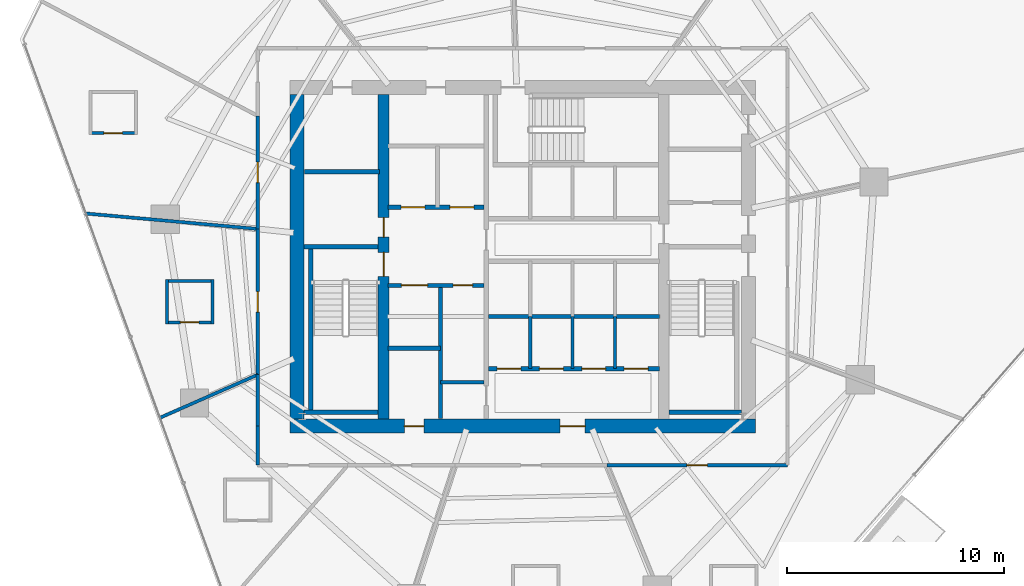
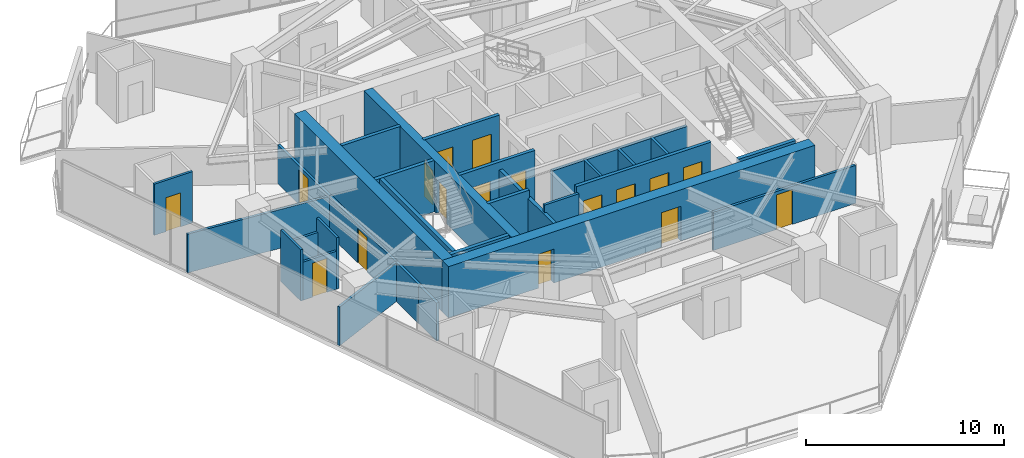
# One storey, part 27 of 33: 30 walls, 17 doors, 17 openings.
"""IFC4 building model written with IfcOpenShell, lengths in metres."""

from ifc_helpers import new_model, si_unit, direction, frame, frame_2d, origin, place, context, subcontext, project, spatial, rectangle, extrude, material, layer, layer_set, type_object, element, fill, save


model = new_model("IFC4")

# Units and contexts
model_context = context("Model", 3, precision=1e-05, world=origin(), true_north=direction((0.0, 1.0)))
body_context = subcontext(model_context, "Body", "Model", "MODEL_VIEW")
ifc_project = project(units=[si_unit("LENGTHUNIT", "METRE"), si_unit("AREAUNIT", "SQUARE_METRE"), si_unit("VOLUMEUNIT", "CUBIC_METRE"), si_unit("PLANEANGLEUNIT", "RADIAN"), si_unit("MASSUNIT", "GRAM", prefix="KILO")], contexts=[model_context])

# Site, building, storey
site_placement = place(None, origin())
site = spatial("IfcSite", under=ifc_project, at=site_placement, CompositionType="ELEMENT")
building_placement = place(site_placement, origin())
building = spatial("IfcBuilding", under=site, at=building_placement, Name="Qarnah Convention Tower", CompositionType="ELEMENT")
storey_placement = place(building_placement, frame((0.0, 0.0, 30.449951171875)))
storey = spatial("IfcBuildingStorey", under=building, at=storey_placement, Name="L06", CompositionType="ELEMENT", Elevation=30.449951171875)

# Wall, openings, doors
ifc_material_1 = material(Name="Concrete C60/75", Category="concrete")
ifc_layer_1 = layer(ifc_material_1, 0.64990234375)
ifc_layer_set_1 = layer_set([ifc_layer_1], Name="Concrete C60/75")
wall_type_1 = type_object("IfcWallType", Name="WL-CORE-650", PredefinedType="SHEAR", material=ifc_layer_set_1)
wall_1_placement = place(storey_placement, frame((26.47509765625, 18.60009765625, 0.0), z_axis=(0.0, 0.0, 1.0), x_axis=(1.0, 0.0, 0.0)))
wall_1 = element("IfcWall", 1, at=wall_1_placement, inside=storey, type_object=wall_type_1, Name="L06 core south shear wall", PredefinedType="SHEAR", context=body_context, shape_type="SweptSolid", body=[
    extrude(rectangle(XDim=21.449951171875, YDim=0.64990234375, at=frame_2d((10.72509765625, 0.0))), origin(), (0.0, 0.0, 1.0), 3.170166015625),
])
opening_1_placement = place(wall_1_placement, frame((12.449951171875, 0.0, 0.0)))
opening_1 = element("IfcOpeningElement", 2, at=opening_1_placement, cuts=wall_1, Name="Opening D-0607", PredefinedType="OPENING", context=body_context, shape_type="SweptSolid", body=[
    extrude(rectangle(XDim=1.14990234375, YDim=2.14990234375, at=frame_2d((0.574951171875, 1.074951171875))), frame((0.0, 0.3349609375, 0.0), z_axis=(0.0, -1.0, 0.0), x_axis=(1.0, 0.0, 0.0)), (0.0, 0.0, 1.0), 0.669921875),
])
opening_2_placement = place(wall_1_placement, frame((5.27490234375, 0.0, 0.0)))
opening_2 = element("IfcOpeningElement", 3, at=opening_2_placement, cuts=wall_1, Name="Opening D-0613", PredefinedType="OPENING", context=body_context, shape_type="SweptSolid", body=[
    extrude(rectangle(XDim=0.89990234375, YDim=2.10009765625, at=frame_2d((0.449951171875, 1.050048828125))), frame((0.0, 0.3349609375, 0.0), z_axis=(0.0, -1.0, 0.0), x_axis=(1.0, 0.0, 0.0)), (0.0, 0.0, 1.0), 0.669921875),
])
ifc_material_2 = material(Name="Structural steel S355JR", Category="steel")
door_type_1 = type_object("IfcDoorType", Name="DT-LOBBY-1150", OperationType="NOTDEFINED", PredefinedType="DOOR", material=ifc_material_2)
door_1_placement = place(opening_1_placement, origin())
door_1 = element("IfcDoor", 4, at=door_1_placement, inside=storey, type_object=door_type_1, Name="Door D-0607", OperationType="SINGLE_SWING_RIGHT", OverallHeight=2.14990234375, OverallWidth=1.14990234375, PredefinedType="DOOR", context=body_context, shape_type="SweptSolid", body=[
    extrude(rectangle(XDim=1.14990234375, YDim=2.14990234375, at=frame_2d((0.574951171875, 1.074951171875))), frame((0.0, 0.02490234375, 0.0), z_axis=(0.0, -1.0, 0.0), x_axis=(1.0, 0.0, 0.0)), (0.0, 0.0, 1.0), 0.050048828125),
])
fill(opening_1, door_1)
door_type_2 = type_object("IfcDoorType", Name="DT-RISER-900", OperationType="NOTDEFINED", PredefinedType="DOOR", material=ifc_material_2)
door_2_placement = place(opening_2_placement, origin())
door_2 = element("IfcDoor", 5, at=door_2_placement, inside=storey, type_object=door_type_2, Name="Door D-0613", OperationType="SINGLE_SWING_RIGHT", OverallHeight=2.10009765625, OverallWidth=0.89990234375, PredefinedType="DOOR", context=body_context, shape_type="SweptSolid", body=[
    extrude(rectangle(XDim=0.89990234375, YDim=2.10009765625, at=frame_2d((0.449951171875, 1.050048828125))), frame((0.0, 0.02490234375, 0.0), z_axis=(0.0, -1.0, 0.0), x_axis=(1.0, 0.0, 0.0)), (0.0, 0.0, 1.0), 0.050048828125),
])
fill(opening_2, door_2)

# Wall
wall_2_placement = place(storey_placement, frame((26.800048828125, 18.925048828125, 0.0), z_axis=(0.0, 0.0, 1.0), x_axis=(0.0, 1.0, 0.0)))
element("IfcWall", 6, at=wall_2_placement, inside=storey, type_object=wall_type_1, Name="L06 core west shear wall", PredefinedType="SHEAR", context=body_context, shape_type="SweptSolid", body=[
    extrude(rectangle(XDim=14.949951171875, YDim=0.64990234375, at=frame_2d((7.47509765625, 0.0))), origin(), (0.0, 0.0, 1.0), 3.170166015625),
])

# Wall, openings, doors
ifc_layer_2 = layer(ifc_material_1, 0.5)
ifc_layer_set_2 = layer_set([ifc_layer_2], Name="Concrete C60/75")
wall_type_2 = type_object("IfcWallType", Name="WL-CORE-INT-400", PredefinedType="SHEAR", material=ifc_layer_set_2)
wall_3_placement = place(storey_placement, frame((30.800048828125, 18.925048828125, 0.0), z_axis=(0.0, 0.0, 1.0), x_axis=(0.0, 1.0, 0.0)))
wall_3 = element("IfcWall", 7, at=wall_3_placement, inside=storey, type_object=wall_type_2, Name="L06 core west spine shear wall", PredefinedType="SHEAR", context=body_context, shape_type="SweptSolid", body=[
    extrude(rectangle(XDim=14.949951171875, YDim=0.5, at=frame_2d((7.47509765625, 0.0))), origin(), (0.0, 0.0, 1.0), 3.170166015625),
])
opening_3_placement = place(wall_3_placement, frame((6.574951171875, 0.0, 0.0)))
opening_3 = element("IfcOpeningElement", 8, at=opening_3_placement, cuts=wall_3, Name="Opening D-0601", PredefinedType="OPENING", context=body_context, shape_type="SweptSolid", body=[
    extrude(rectangle(XDim=1.10009765625, YDim=2.14990234375, at=frame_2d((0.550048828125, 1.074951171875))), frame((0.0, 0.260009765625, 0.0), z_axis=(0.0, -1.0, 0.0), x_axis=(1.0, 0.0, 0.0)), (0.0, 0.0, 1.0), 0.52001953125),
])
opening_4_placement = place(wall_3_placement, frame((8.375, 0.0, 0.0)))
opening_4 = element("IfcOpeningElement", 9, at=opening_4_placement, cuts=wall_3, Name="Opening D-0608", PredefinedType="OPENING", context=body_context, shape_type="SweptSolid", body=[
    extrude(rectangle(XDim=0.89990234375, YDim=2.10009765625, at=frame_2d((0.449951171875, 1.050048828125))), frame((0.0, 0.260009765625, 0.0), z_axis=(0.0, -1.0, 0.0), x_axis=(1.0, 0.0, 0.0)), (0.0, 0.0, 1.0), 0.52001953125),
])
door_3_placement = place(opening_4_placement, origin())
door_3 = element("IfcDoor", 10, at=door_3_placement, inside=storey, type_object=door_type_2, Name="Door D-0608", OperationType="SINGLE_SWING_LEFT", OverallHeight=2.10009765625, OverallWidth=0.89990234375, PredefinedType="DOOR", context=body_context, shape_type="SweptSolid", body=[
    extrude(rectangle(XDim=0.89990234375, YDim=2.10009765625, at=frame_2d((0.449951171875, 1.050048828125))), frame((0.0, 0.02490234375, 0.0), z_axis=(0.0, -1.0, 0.0), x_axis=(1.0, 0.0, 0.0)), (0.0, 0.0, 1.0), 0.050048828125),
])
fill(opening_4, door_3)
door_type_3 = type_object("IfcDoorType", Name="DT-STAIR-1100", OperationType="NOTDEFINED", PredefinedType="DOOR", material=ifc_material_2)
door_4_placement = place(opening_3_placement, origin())
door_4 = element("IfcDoor", 11, at=door_4_placement, inside=storey, type_object=door_type_3, Name="Door D-0601", OperationType="SINGLE_SWING_RIGHT", OverallHeight=2.14990234375, OverallWidth=1.10009765625, PredefinedType="DOOR", context=body_context, shape_type="SweptSolid", body=[
    extrude(rectangle(XDim=1.10009765625, YDim=2.14990234375, at=frame_2d((0.550048828125, 1.074951171875))), frame((0.0, 0.02490234375, 0.0), z_axis=(0.0, -1.0, 0.0), x_axis=(1.0, 0.0, 0.0)), (0.0, 0.0, 1.0), 0.050048828125),
])
fill(opening_3, door_4)

# Wall
ifc_material_3 = material(Name="Concrete C45/55", Category="concrete")
ifc_layer_3 = layer(ifc_material_3, 0.199951171875)
ifc_layer_set_3 = layer_set([ifc_layer_3], Name="Concrete C45/55")
wall_type_3 = type_object("IfcWallType", Name="WL-CORE-PART-200", PredefinedType="SOLIDWALL", material=ifc_layer_set_3)
wall_4_placement = place(storey_placement, frame((27.14990234375, 30.320068359375, 0.0), z_axis=(0.0, 0.0, 1.0), x_axis=(1.0, 0.0, 0.0)))
element("IfcWall", 12, at=wall_4_placement, inside=storey, type_object=wall_type_3, Name="L06 interior wall IW-L06-ELRN", PredefinedType="SOLIDWALL", context=body_context, shape_type="SweptSolid", body=[
    extrude(rectangle(XDim=3.4501953125, YDim=0.199951171875, at=frame_2d((1.72509765625, 0.0))), origin(), (0.0, 0.0, 1.0), 3.170166015625),
])

# Wall, openings, doors
wall_5_placement = place(storey_placement, frame((31.0, 28.679931640625, 0.0), z_axis=(0.0, 0.0, 1.0), x_axis=(1.0, 0.0, 0.0)))
wall_5 = element("IfcWall", 13, at=wall_5_placement, inside=storey, type_object=wall_type_3, Name="L06 interior wall IW-L06-FFLS", PredefinedType="SOLIDWALL", context=body_context, shape_type="SweptSolid", body=[
    extrude(rectangle(XDim=4.419921875, YDim=0.199951171875, at=frame_2d((2.2099609375, 0.0))), origin(), (0.0, 0.0, 1.0), 3.170166015625),
])
opening_5_placement = place(wall_5_placement, frame((0.60009765625, 0.0, 0.0)))
opening_5 = element("IfcOpeningElement", 14, at=opening_5_placement, cuts=wall_5, Name="Opening LD-0601", PredefinedType="OPENING", context=body_context, shape_type="SweptSolid", body=[
    extrude(rectangle(XDim=1.10009765625, YDim=2.14990234375, at=frame_2d((0.550048828125, 1.074951171875))), frame((0.0, 0.10986328125, 0.0), z_axis=(0.0, -1.0, 0.0), x_axis=(1.0, 0.0, 0.0)), (0.0, 0.0, 1.0), 0.219970703125),
])
opening_6_placement = place(wall_5_placement, frame((2.85009765625, 0.0, 0.0)))
opening_6 = element("IfcOpeningElement", 15, at=opening_6_placement, cuts=wall_5, Name="Opening LD-0602", PredefinedType="OPENING", context=body_context, shape_type="SweptSolid", body=[
    extrude(rectangle(XDim=1.10009765625, YDim=2.14990234375, at=frame_2d((0.550048828125, 1.074951171875))), frame((0.0, 0.10986328125, 0.0), z_axis=(0.0, -1.0, 0.0), x_axis=(1.0, 0.0, 0.0)), (0.0, 0.0, 1.0), 0.219970703125),
])
door_type_4 = type_object("IfcDoorType", Name="DT-LIFT-1100", OperationType="SLIDING_TO_LEFT", PredefinedType="DOOR", material=ifc_material_2)
door_5_placement = place(opening_5_placement, origin())
door_5 = element("IfcDoor", 16, at=door_5_placement, inside=storey, type_object=door_type_4, Name="Door LD-0601", OperationType="SLIDING_TO_LEFT", OverallHeight=2.14990234375, OverallWidth=1.10009765625, PredefinedType="DOOR", context=body_context, shape_type="SweptSolid", body=[
    extrude(rectangle(XDim=1.10009765625, YDim=2.14990234375, at=frame_2d((0.550048828125, 1.074951171875))), frame((0.0, 0.02490234375, 0.0), z_axis=(0.0, -1.0, 0.0), x_axis=(1.0, 0.0, 0.0)), (0.0, 0.0, 1.0), 0.050048828125),
])
fill(opening_5, door_5)
door_6_placement = place(opening_6_placement, origin())
door_6 = element("IfcDoor", 17, at=door_6_placement, inside=storey, type_object=door_type_4, Name="Door LD-0602", OperationType="SLIDING_TO_LEFT", OverallHeight=2.14990234375, OverallWidth=1.10009765625, PredefinedType="DOOR", context=body_context, shape_type="SweptSolid", body=[
    extrude(rectangle(XDim=1.10009765625, YDim=2.14990234375, at=frame_2d((0.550048828125, 1.074951171875))), frame((0.0, 0.02490234375, 0.0), z_axis=(0.0, -1.0, 0.0), x_axis=(1.0, 0.0, 0.0)), (0.0, 0.0, 1.0), 0.050048828125),
])
fill(opening_6, door_6)

wall_6_placement = place(storey_placement, frame((31.0, 25.080078125, 0.0), z_axis=(0.0, 0.0, 1.0), x_axis=(1.0, 0.0, 0.0)))
wall_6 = element("IfcWall", 18, at=wall_6_placement, inside=storey, type_object=wall_type_3, Name="L06 interior wall IW-L06-FFLBS", PredefinedType="SOLIDWALL", context=body_context, shape_type="SweptSolid", body=[
    extrude(rectangle(XDim=4.419921875, YDim=0.199951171875, at=frame_2d((2.2099609375, 0.0))), origin(), (0.0, 0.0, 1.0), 3.170166015625),
])
opening_7_placement = place(wall_6_placement, frame((3.0, 0.0, 0.0)))
opening_7 = element("IfcOpeningElement", 19, at=opening_7_placement, cuts=wall_6, Name="Opening D-0615", PredefinedType="OPENING", context=body_context, shape_type="SweptSolid", body=[
    extrude(rectangle(XDim=0.89990234375, YDim=2.10009765625, at=frame_2d((0.449951171875, 1.050048828125))), frame((0.0, 0.10986328125, 0.0), z_axis=(0.0, -1.0, 0.0), x_axis=(1.0, 0.0, 0.0)), (0.0, 0.0, 1.0), 0.219970703125),
])
opening_8_placement = place(wall_6_placement, frame((0.6201171875, 0.0, 0.0)))
opening_8 = element("IfcOpeningElement", 20, at=opening_8_placement, cuts=wall_6, Name="Opening LD-0603", PredefinedType="OPENING", context=body_context, shape_type="SweptSolid", body=[
    extrude(rectangle(XDim=1.199951171875, YDim=2.14990234375, at=frame_2d((0.60009765625, 1.074951171875))), frame((0.0, 0.10986328125, 0.0), z_axis=(0.0, -1.0, 0.0), x_axis=(1.0, 0.0, 0.0)), (0.0, 0.0, 1.0), 0.219970703125),
])
door_type_5 = type_object("IfcDoorType", Name="DT-LIFT-1200", OperationType="SLIDING_TO_LEFT", PredefinedType="DOOR", material=ifc_material_2)
door_7_placement = place(opening_8_placement, origin())
door_7 = element("IfcDoor", 21, at=door_7_placement, inside=storey, type_object=door_type_5, Name="Door LD-0603", OperationType="SLIDING_TO_LEFT", OverallHeight=2.14990234375, OverallWidth=1.199951171875, PredefinedType="DOOR", context=body_context, shape_type="SweptSolid", body=[
    extrude(rectangle(XDim=1.199951171875, YDim=2.14990234375, at=frame_2d((0.60009765625, 1.074951171875))), frame((0.0, 0.02490234375, 0.0), z_axis=(0.0, -1.0, 0.0), x_axis=(1.0, 0.0, 0.0)), (0.0, 0.0, 1.0), 0.050048828125),
])
fill(opening_8, door_7)
door_8_placement = place(opening_7_placement, origin())
door_8 = element("IfcDoor", 22, at=door_8_placement, inside=storey, type_object=door_type_2, Name="Door D-0615", OperationType="SINGLE_SWING_RIGHT", OverallHeight=2.10009765625, OverallWidth=0.89990234375, PredefinedType="DOOR", context=body_context, shape_type="SweptSolid", body=[
    extrude(rectangle(XDim=0.89990234375, YDim=2.10009765625, at=frame_2d((0.449951171875, 1.050048828125))), frame((0.0, 0.02490234375, 0.0), z_axis=(0.0, -1.0, 0.0), x_axis=(1.0, 0.0, 0.0)), (0.0, 0.0, 1.0), 0.050048828125),
])
fill(opening_7, door_8)

# Walls
wall_7_placement = place(storey_placement, frame((33.419921875, 18.949951171875, 0.0), z_axis=(0.0, 0.0, 1.0), x_axis=(0.0, 1.0, 0.0)))
element("IfcWall", 23, at=wall_7_placement, inside=storey, type_object=wall_type_3, Name="L06 interior wall IW-L06-SVLE", PredefinedType="SOLIDWALL", context=body_context, shape_type="SweptSolid", body=[
    extrude(rectangle(XDim=6.130126953125, YDim=0.199951171875, at=frame_2d((3.06494140625, 0.0))), origin(), (0.0, 0.0, 1.0), 2.691162109375),
])
wall_8_placement = place(storey_placement, frame((31.0, 22.179931640625, 0.0), z_axis=(0.0, 0.0, 1.0), x_axis=(1.0, 0.0, 0.0)))
element("IfcWall", 24, at=wall_8_placement, inside=storey, type_object=wall_type_3, Name="L06 interior wall IW-L06-SVLS", PredefinedType="SOLIDWALL", context=body_context, shape_type="SweptSolid", body=[
    extrude(rectangle(XDim=2.419921875, YDim=0.199951171875, at=frame_2d((1.2099609375, 0.0))), origin(), (0.0, 0.0, 1.0), 3.170166015625),
])
wall_9_placement = place(storey_placement, frame((35.6201171875, 23.64990234375, 0.0), z_axis=(0.0, 0.0, 1.0), x_axis=(1.0, 0.0, 0.0)))
element("IfcWall", 25, at=wall_9_placement, inside=storey, type_object=wall_type_3, Name="L06 interior wall IW-L06-PMPL", PredefinedType="SOLIDWALL", context=body_context, shape_type="SweptSolid", body=[
    extrude(rectangle(XDim=7.8798828125, YDim=0.199951171875, at=frame_2d((3.93994140625, 0.0))), origin(), (0.0, 0.0, 1.0), 2.691162109375),
])

# Wall, openings, doors
wall_10_placement = place(storey_placement, frame((35.6201171875, 21.25, 0.0), z_axis=(0.0, 0.0, 1.0), x_axis=(1.0, 0.0, 0.0)))
wall_10 = element("IfcWall", 26, at=wall_10_placement, inside=storey, type_object=wall_type_3, Name="L06 interior wall IW-L06-PLS", PredefinedType="SOLIDWALL", context=body_context, shape_type="SweptSolid", body=[
    extrude(rectangle(XDim=7.8798828125, YDim=0.199951171875, at=frame_2d((3.93994140625, 0.0))), origin(), (0.0, 0.0, 1.0), 3.170166015625),
])
opening_9_placement = place(wall_10_placement, frame((0.405029296875, 0.0, 0.0)))
opening_9 = element("IfcOpeningElement", 27, at=opening_9_placement, cuts=wall_10, Name="Opening LD-0604", PredefinedType="OPENING", context=body_context, shape_type="SweptSolid", body=[
    extrude(rectangle(XDim=1.10009765625, YDim=2.14990234375, at=frame_2d((0.550048828125, 1.074951171875))), frame((0.0, 0.10986328125, 0.0), z_axis=(0.0, -1.0, 0.0), x_axis=(1.0, 0.0, 0.0)), (0.0, 0.0, 1.0), 0.219970703125),
])
opening_10_placement = place(wall_10_placement, frame((2.35498046875, 0.0, 0.0)))
opening_10 = element("IfcOpeningElement", 28, at=opening_10_placement, cuts=wall_10, Name="Opening LD-0605", PredefinedType="OPENING", context=body_context, shape_type="SweptSolid", body=[
    extrude(rectangle(XDim=1.10009765625, YDim=2.14990234375, at=frame_2d((0.550048828125, 1.074951171875))), frame((0.0, 0.10986328125, 0.0), z_axis=(0.0, -1.0, 0.0), x_axis=(1.0, 0.0, 0.0)), (0.0, 0.0, 1.0), 0.219970703125),
])
opening_11_placement = place(wall_10_placement, frame((4.304931640625, 0.0, 0.0)))
opening_11 = element("IfcOpeningElement", 29, at=opening_11_placement, cuts=wall_10, Name="Opening LD-0606", PredefinedType="OPENING", context=body_context, shape_type="SweptSolid", body=[
    extrude(rectangle(XDim=1.10009765625, YDim=2.14990234375, at=frame_2d((0.550048828125, 1.074951171875))), frame((0.0, 0.10986328125, 0.0), z_axis=(0.0, -1.0, 0.0), x_axis=(1.0, 0.0, 0.0)), (0.0, 0.0, 1.0), 0.219970703125),
])
opening_12_placement = place(wall_10_placement, frame((6.2548828125, 0.0, 0.0)))
opening_12 = element("IfcOpeningElement", 30, at=opening_12_placement, cuts=wall_10, Name="Opening LD-0607", PredefinedType="OPENING", context=body_context, shape_type="SweptSolid", body=[
    extrude(rectangle(XDim=1.10009765625, YDim=2.14990234375, at=frame_2d((0.550048828125, 1.074951171875))), frame((0.0, 0.10986328125, 0.0), z_axis=(0.0, -1.0, 0.0), x_axis=(1.0, 0.0, 0.0)), (0.0, 0.0, 1.0), 0.219970703125),
])
door_9_placement = place(opening_9_placement, origin())
door_9 = element("IfcDoor", 31, at=door_9_placement, inside=storey, type_object=door_type_4, Name="Door LD-0604", OperationType="SLIDING_TO_LEFT", OverallHeight=2.14990234375, OverallWidth=1.10009765625, PredefinedType="DOOR", context=body_context, shape_type="SweptSolid", body=[
    extrude(rectangle(XDim=1.10009765625, YDim=2.14990234375, at=frame_2d((0.550048828125, 1.074951171875))), frame((0.0, 0.02490234375, 0.0), z_axis=(0.0, -1.0, 0.0), x_axis=(1.0, 0.0, 0.0)), (0.0, 0.0, 1.0), 0.050048828125),
])
fill(opening_9, door_9)
door_10_placement = place(opening_10_placement, origin())
door_10 = element("IfcDoor", 32, at=door_10_placement, inside=storey, type_object=door_type_4, Name="Door LD-0605", OperationType="SLIDING_TO_LEFT", OverallHeight=2.14990234375, OverallWidth=1.10009765625, PredefinedType="DOOR", context=body_context, shape_type="SweptSolid", body=[
    extrude(rectangle(XDim=1.10009765625, YDim=2.14990234375, at=frame_2d((0.550048828125, 1.074951171875))), frame((0.0, 0.02490234375, 0.0), z_axis=(0.0, -1.0, 0.0), x_axis=(1.0, 0.0, 0.0)), (0.0, 0.0, 1.0), 0.050048828125),
])
fill(opening_10, door_10)
door_11_placement = place(opening_11_placement, origin())
door_11 = element("IfcDoor", 33, at=door_11_placement, inside=storey, type_object=door_type_4, Name="Door LD-0606", OperationType="SLIDING_TO_LEFT", OverallHeight=2.14990234375, OverallWidth=1.10009765625, PredefinedType="DOOR", context=body_context, shape_type="SweptSolid", body=[
    extrude(rectangle(XDim=1.10009765625, YDim=2.14990234375, at=frame_2d((0.550048828125, 1.074951171875))), frame((0.0, 0.02490234375, 0.0), z_axis=(0.0, -1.0, 0.0), x_axis=(1.0, 0.0, 0.0)), (0.0, 0.0, 1.0), 0.050048828125),
])
fill(opening_11, door_11)
door_12_placement = place(opening_12_placement, origin())
door_12 = element("IfcDoor", 34, at=door_12_placement, inside=storey, type_object=door_type_4, Name="Door LD-0607", OperationType="SLIDING_TO_LEFT", OverallHeight=2.14990234375, OverallWidth=1.10009765625, PredefinedType="DOOR", context=body_context, shape_type="SweptSolid", body=[
    extrude(rectangle(XDim=1.10009765625, YDim=2.14990234375, at=frame_2d((0.550048828125, 1.074951171875))), frame((0.0, 0.02490234375, 0.0), z_axis=(0.0, -1.0, 0.0), x_axis=(1.0, 0.0, 0.0)), (0.0, 0.0, 1.0), 0.050048828125),
])
fill(opening_12, door_12)

# Walls
ifc_layer_4 = layer(ifc_material_1, 0.219970703125)
ifc_layer_set_4 = layer_set([ifc_layer_4], Name="Concrete C60/75")
wall_type_4 = type_object("IfcWallType", Name="WL-CORE-STAIR-220", PredefinedType="SHEAR", material=ifc_layer_set_4)
wall_11_placement = place(storey_placement, frame((27.125, 26.860107421875, 0.0), z_axis=(0.0, 0.0, 1.0), x_axis=(1.0, 0.0, 0.0)))
element("IfcWall", 35, at=wall_11_placement, inside=storey, type_object=wall_type_4, Name="L06 stair shaft shear wall SW-L06-ST1N", PredefinedType="SHEAR", context=body_context, shape_type="SweptSolid", body=[
    extrude(rectangle(XDim=3.425048828125, YDim=0.219970703125, at=frame_2d((1.71240234375, 0.0))), origin(), (0.0, 0.0, 1.0), 3.170166015625),
])
wall_12_placement = place(storey_placement, frame((27.43994140625, 19.35009765625, 0.0), z_axis=(0.0, 0.0, 1.0), x_axis=(0.0, 1.0, 0.0)))
element("IfcWall", 36, at=wall_12_placement, inside=storey, type_object=wall_type_4, Name="L06 stair shaft shear wall SW-L06-ST1W", PredefinedType="SHEAR", context=body_context, shape_type="SweptSolid", body=[
    extrude(rectangle(XDim=7.39990234375, YDim=0.219970703125, at=frame_2d((3.699951171875, 0.0))), origin(), (0.0, 0.0, 1.0), 3.170166015625),
])
wall_13_placement = place(storey_placement, frame((27.125, 19.239990234375, 0.0), z_axis=(0.0, 0.0, 1.0), x_axis=(1.0, 0.0, 0.0)))
element("IfcWall", 37, at=wall_13_placement, inside=storey, type_object=wall_type_4, Name="L06 stair shaft shear wall SW-L06-ST1S", PredefinedType="SHEAR", context=body_context, shape_type="SweptSolid", body=[
    extrude(rectangle(XDim=3.425048828125, YDim=0.219970703125, at=frame_2d((1.71240234375, 0.0))), origin(), (0.0, 0.0, 1.0), 3.170166015625),
])
wall_14_placement = place(storey_placement, frame((43.949951171875, 19.239990234375, 0.0), z_axis=(0.0, 0.0, 1.0), x_axis=(1.0, 0.0, 0.0)))
element("IfcWall", 38, at=wall_14_placement, inside=storey, type_object=wall_type_4, Name="L06 stair shaft shear wall SW-L06-ST2S", PredefinedType="SHEAR", context=body_context, shape_type="SweptSolid", body=[
    extrude(rectangle(XDim=3.324951171875, YDim=0.219970703125, at=frame_2d((1.66259765625, 0.0))), origin(), (0.0, 0.0, 1.0), 3.170166015625),
])
ifc_material_4 = material(Name="Gypsum partition board")
ifc_layer_5 = layer(ifc_material_4, 0.14990234375)
ifc_layer_set_5 = layer_set([ifc_layer_5], Name="Gypsum partition board")
wall_type_5 = type_object("IfcWallType", Name="WL-SUITE-150", PredefinedType="PARTITIONING", material=ifc_layer_set_5)
wall_15_placement = place(storey_placement, frame((33.419921875, 20.6201171875, 0.0), z_axis=(0.0, 0.0, 1.0), x_axis=(1.0, 0.0, 0.0)))
element("IfcWall", 39, at=wall_15_placement, inside=storey, type_object=wall_type_5, Name="L06 interior wall IW-L06-CSV1", PredefinedType="PARTITIONING", context=body_context, shape_type="SweptSolid", body=[
    extrude(rectangle(XDim=2.0, YDim=0.14990234375, at=frame_2d((1.0, 0.0))), origin(), (0.0, 0.0, 1.0), 3.170166015625),
])
for number, where, z_axis, x_axis, name in (
    (40, (37.550048828125, 21.25, 0.0), (0.0, 0.0, 1.0), (0.0, 1.0, 0.0), "L06 interior wall IW-L06-PLD1"),
    (41, (39.5, 21.25, 0.0), (0.0, 0.0, 1.0), (0.0, 1.0, 0.0), "L06 interior wall IW-L06-PLD2"),
    (42, (41.449951171875, 21.25, 0.0), (0.0, 0.0, 1.0), (0.0, 1.0, 0.0), "L06 interior wall IW-L06-PLD3"),
):
    element("IfcWall", number, at=place(storey_placement, frame(where, z_axis=z_axis, x_axis=x_axis)), inside=storey, type_object=wall_type_5, Name=name, PredefinedType="PARTITIONING", context=body_context, shape_type="SweptSolid", body=[
        extrude(rectangle(XDim=2.39990234375, YDim=0.14990234375, at=frame_2d((1.199951171875, 0.0))), origin(), (0.0, 0.0, 1.0), 2.691162109375),
    ])
wall_16_placement = place(storey_placement, frame((17.033935546875, 28.39697265625, 0.0), z_axis=(0.0, 0.0, 1.0), x_axis=(0.995995150672, -0.089407269494, 0.0)))
element("IfcWall", 43, at=wall_16_placement, inside=storey, type_object=wall_type_5, Name="L06 interior wall IW-L06-R-50", PredefinedType="PARTITIONING", context=body_context, shape_type="SweptSolid", body=[
    extrude(rectangle(XDim=7.998046875, YDim=0.14990234375, at=frame_2d((3.9990234375, 0.0))), origin(), (0.0, 0.0, 1.0), 2.39501953125),
])

# Wall, opening, door
wall_17_placement = place(storey_placement, frame((25.0, 27.681884765625, 0.0), z_axis=(0.0, 0.0, 1.0), x_axis=(0.0, 1.0, 0.0)))
wall_17 = element("IfcWall", 44, at=wall_17_placement, inside=storey, type_object=wall_type_5, Name="L06 interior wall IW-L06-R-51", PredefinedType="PARTITIONING", context=body_context, shape_type="SweptSolid", body=[
    extrude(rectangle(XDim=5.205078125, YDim=0.14990234375, at=frame_2d((2.6025390625, 0.0))), origin(), (0.0, 0.0, 1.0), 2.39501953125),
])
opening_13_placement = place(wall_17_placement, frame((2.1279296875, 0.0, 0.0)))
opening_13 = element("IfcOpeningElement", 45, at=opening_13_placement, cuts=wall_17, Name="Opening D-0623", PredefinedType="OPENING", context=body_context, shape_type="SweptSolid", body=[
    extrude(rectangle(XDim=0.949951171875, YDim=2.14990234375, at=frame_2d((0.47509765625, 1.074951171875))), frame((0.0, 0.0849609375, 0.0), z_axis=(0.0, -1.0, 0.0), x_axis=(1.0, 0.0, 0.0)), (0.0, 0.0, 1.0), 0.169921875),
])
ifc_material_5 = material(Name="Oak timber veneer", Category="wood")
door_type_6 = type_object("IfcDoorType", Name="DT-HOTEL-950", OperationType="NOTDEFINED", PredefinedType="DOOR", material=ifc_material_5)
door_13_placement = place(opening_13_placement, origin())
door_13 = element("IfcDoor", 46, at=door_13_placement, inside=storey, type_object=door_type_6, Name="Door D-0623", OperationType="SINGLE_SWING_RIGHT", OverallHeight=2.14990234375, OverallWidth=0.949951171875, PredefinedType="DOOR", context=body_context, shape_type="SweptSolid", body=[
    extrude(rectangle(XDim=0.949951171875, YDim=2.14990234375, at=frame_2d((0.47509765625, 1.074951171875))), frame((0.0, 0.02490234375, 0.0), z_axis=(0.0, -1.0, 0.0), x_axis=(1.0, 0.0, 0.0)), (0.0, 0.0, 1.0), 0.050048828125),
])
fill(opening_13, door_13)

# Wall
wall_18_placement = place(storey_placement, frame((20.4599609375, 18.968017578125, 0.0), z_axis=(0.0, 0.0, 1.0), x_axis=(0.915137887955, 0.403140975378, 0.0)))
element("IfcWall", 47, at=wall_18_placement, inside=storey, type_object=wall_type_5, Name="L06 interior wall IW-L06-R-52", PredefinedType="PARTITIONING", context=body_context, shape_type="SweptSolid", body=[
    extrude(rectangle(XDim=4.9609375, YDim=0.14990234375, at=frame_2d((2.48046875, 0.0))), origin(), (0.0, 0.0, 1.0), 2.39501953125),
])

# Wall, opening, door
wall_19_placement = place(storey_placement, frame((25.0, 20.968017578125, 0.0), z_axis=(0.0, 0.0, 1.0), x_axis=(0.0, 1.0, 0.0)))
wall_19 = element("IfcWall", 48, at=wall_19_placement, inside=storey, type_object=wall_type_5, Name="L06 interior wall IW-L06-R-53", PredefinedType="PARTITIONING", context=body_context, shape_type="SweptSolid", body=[
    extrude(rectangle(XDim=6.7138671875, YDim=0.14990234375, at=frame_2d((3.35693359375, 0.0))), origin(), (0.0, 0.0, 1.0), 2.39501953125),
])
opening_14_placement = place(wall_19_placement, frame((2.882080078125, 0.0, 0.0)))
opening_14 = element("IfcOpeningElement", 49, at=opening_14_placement, cuts=wall_19, Name="Opening D-0625", PredefinedType="OPENING", context=body_context, shape_type="SweptSolid", body=[
    extrude(rectangle(XDim=0.949951171875, YDim=2.14990234375, at=frame_2d((0.47509765625, 1.074951171875))), frame((0.0, 0.0849609375, 0.0), z_axis=(0.0, -1.0, 0.0), x_axis=(1.0, 0.0, 0.0)), (0.0, 0.0, 1.0), 0.169921875),
])
door_14_placement = place(opening_14_placement, origin())
door_14 = element("IfcDoor", 50, at=door_14_placement, inside=storey, type_object=door_type_6, Name="Door D-0625", OperationType="SINGLE_SWING_RIGHT", OverallHeight=2.14990234375, OverallWidth=0.949951171875, PredefinedType="DOOR", context=body_context, shape_type="SweptSolid", body=[
    extrude(rectangle(XDim=0.949951171875, YDim=2.14990234375, at=frame_2d((0.47509765625, 1.074951171875))), frame((0.0, 0.02490234375, 0.0), z_axis=(0.0, -1.0, 0.0), x_axis=(1.0, 0.0, 0.0)), (0.0, 0.0, 1.0), 0.050048828125),
])
fill(opening_14, door_14)

# Walls
wall_20_placement = place(storey_placement, frame((25.0, 16.800048828125, 0.0), z_axis=(0.0, 0.0, 1.0), x_axis=(0.0, 1.0, 0.0)))
element("IfcWall", 51, at=wall_20_placement, inside=storey, type_object=wall_type_5, Name="L06 interior wall IW-L06-R-56", PredefinedType="PARTITIONING", context=body_context, shape_type="SweptSolid", body=[
    extrude(rectangle(XDim=1.800048828125, YDim=0.14990234375, at=frame_2d((0.89990234375, 0.0))), origin(), (0.0, 0.0, 1.0), 2.35498046875),
])
wall_21_placement = place(storey_placement, frame((25.0, 18.60009765625, 0.0), z_axis=(0.0, 0.0, 1.0), x_axis=(0.0, 1.0, 0.0)))
element("IfcWall", 52, at=wall_21_placement, inside=storey, type_object=wall_type_5, Name="L06 interior wall IW-L06-R-57", PredefinedType="PARTITIONING", context=body_context, shape_type="SweptSolid", body=[
    extrude(rectangle(XDim=2.367919921875, YDim=0.14990234375, at=frame_2d((1.18408203125, 0.0))), origin(), (0.0, 0.0, 1.0), 2.39501953125),
])

# Wall, opening, door
wall_22_placement = place(storey_placement, frame((49.39990234375, 16.800048828125, 0.0), z_axis=(0.0, 0.0, 1.0), x_axis=(-1.0, 0.0, 0.0)))
wall_22 = element("IfcWall", 53, at=wall_22_placement, inside=storey, type_object=wall_type_5, Name="L06 interior wall IW-L06-R-65", PredefinedType="PARTITIONING", context=body_context, shape_type="SweptSolid", body=[
    extrude(rectangle(XDim=8.32080078125, YDim=0.14990234375, at=frame_2d((4.160400390625, 0.0))), origin(), (0.0, 0.0, 1.0), 2.35498046875),
])
opening_15_placement = place(wall_22_placement, frame((3.68505859375, 0.0, 0.0)))
opening_15 = element("IfcOpeningElement", 54, at=opening_15_placement, cuts=wall_22, Name="Opening D-0633", PredefinedType="OPENING", context=body_context, shape_type="SweptSolid", body=[
    extrude(rectangle(XDim=0.949951171875, YDim=2.14990234375, at=frame_2d((0.47509765625, 1.074951171875))), frame((0.0, 0.0849609375, 0.0), z_axis=(0.0, -1.0, 0.0), x_axis=(1.0, 0.0, 0.0)), (0.0, 0.0, 1.0), 0.169921875),
])
door_15_placement = place(opening_15_placement, origin())
door_15 = element("IfcDoor", 55, at=door_15_placement, inside=storey, type_object=door_type_6, Name="Door D-0633", OperationType="SINGLE_SWING_RIGHT", OverallHeight=2.14990234375, OverallWidth=0.949951171875, PredefinedType="DOOR", context=body_context, shape_type="SweptSolid", body=[
    extrude(rectangle(XDim=0.949951171875, YDim=2.14990234375, at=frame_2d((0.47509765625, 1.074951171875))), frame((0.0, 0.02490234375, 0.0), z_axis=(0.0, -1.0, 0.0), x_axis=(1.0, 0.0, 0.0)), (0.0, 0.0, 1.0), 0.050048828125),
])
fill(opening_15, door_15)

ifc_layer_6 = layer(ifc_material_4, 0.139892578125)
ifc_layer_set_6 = layer_set([ifc_layer_6], Name="Gypsum partition board")
wall_type_6 = type_object("IfcWallType", Name="WL-WET-140", PredefinedType="PARTITIONING", material=ifc_layer_set_6)
wall_23_placement = place(storey_placement, frame((17.221923828125, 32.094970703125, 0.0), z_axis=(0.0, 0.0, 1.0), x_axis=(1.0, 0.0, 0.0)))
wall_23 = element("IfcWall", 56, at=wall_23_placement, inside=storey, type_object=wall_type_6, Name="L06 interior wall IW-L06-ENS04-1", PredefinedType="PARTITIONING", context=body_context, shape_type="SweptSolid", body=[
    extrude(rectangle(XDim=2.239990234375, YDim=0.139892578125, at=frame_2d((1.1201171875, 0.0))), origin(), (0.0, 0.0, 1.0), 3.170166015625),
])
opening_16_placement = place(wall_23_placement, frame((0.695068359375, 0.0, 0.0)))
opening_16 = element("IfcOpeningElement", 57, at=opening_16_placement, cuts=wall_23, Name="Opening D-0624", PredefinedType="OPENING", context=body_context, shape_type="SweptSolid", body=[
    extrude(rectangle(XDim=0.85009765625, YDim=2.10009765625, at=frame_2d((0.425048828125, 1.050048828125))), frame((0.0, 0.079833984375, 0.0), z_axis=(0.0, -1.0, 0.0), x_axis=(1.0, 0.0, 0.0)), (0.0, 0.0, 1.0), 0.159912109375),
])
door_type_7 = type_object("IfcDoorType", Name="DT-BATH-850", OperationType="NOTDEFINED", PredefinedType="DOOR", material=ifc_material_5)
door_16_placement = place(opening_16_placement, origin())
door_16 = element("IfcDoor", 58, at=door_16_placement, inside=storey, type_object=door_type_7, Name="Door D-0624", OperationType="SINGLE_SWING_LEFT", OverallHeight=2.10009765625, OverallWidth=0.85009765625, PredefinedType="DOOR", context=body_context, shape_type="SweptSolid", body=[
    extrude(rectangle(XDim=0.85009765625, YDim=2.10009765625, at=frame_2d((0.425048828125, 1.050048828125))), frame((0.0, 0.02490234375, 0.0), z_axis=(0.0, -1.0, 0.0), x_axis=(1.0, 0.0, 0.0)), (0.0, 0.0, 1.0), 0.050048828125),
])
fill(opening_16, door_16)

wall_24_placement = place(storey_placement, frame((20.7451171875, 23.375, 0.0), z_axis=(0.0, 0.0, 1.0), x_axis=(1.0, 0.0, 0.0)))
wall_24 = element("IfcWall", 59, at=wall_24_placement, inside=storey, type_object=wall_type_6, Name="L06 interior wall IW-L06-ENS05-1", PredefinedType="PARTITIONING", context=body_context, shape_type="SweptSolid", body=[
    extrude(rectangle(XDim=2.239990234375, YDim=0.139892578125, at=frame_2d((1.1201171875, 0.0))), origin(), (0.0, 0.0, 1.0), 2.35498046875),
])
opening_17_placement = place(wall_24_placement, frame((0.695068359375, 0.0, 0.0)))
opening_17 = element("IfcOpeningElement", 60, at=opening_17_placement, cuts=wall_24, Name="Opening D-0626", PredefinedType="OPENING", context=body_context, shape_type="SweptSolid", body=[
    extrude(rectangle(XDim=0.85009765625, YDim=2.10009765625, at=frame_2d((0.425048828125, 1.050048828125))), frame((0.0, 0.079833984375, 0.0), z_axis=(0.0, -1.0, 0.0), x_axis=(1.0, 0.0, 0.0)), (0.0, 0.0, 1.0), 0.159912109375),
])
door_17_placement = place(opening_17_placement, origin())
door_17 = element("IfcDoor", 61, at=door_17_placement, inside=storey, type_object=door_type_7, Name="Door D-0626", OperationType="SINGLE_SWING_LEFT", OverallHeight=2.10009765625, OverallWidth=0.85009765625, PredefinedType="DOOR", context=body_context, shape_type="SweptSolid", body=[
    extrude(rectangle(XDim=0.85009765625, YDim=2.10009765625, at=frame_2d((0.425048828125, 1.050048828125))), frame((0.0, 0.02490234375, 0.0), z_axis=(0.0, -1.0, 0.0), x_axis=(1.0, 0.0, 0.0)), (0.0, 0.0, 1.0), 0.050048828125),
])
fill(opening_17, door_17)

# Walls
wall_25_placement = place(storey_placement, frame((22.9150390625, 23.304931640625, 0.0), z_axis=(0.0, 0.0, 1.0), x_axis=(0.0, 1.0, 0.0)))
element("IfcWall", 62, at=wall_25_placement, inside=storey, type_object=wall_type_6, Name="L06 interior wall IW-L06-ENS05-2", PredefinedType="PARTITIONING", context=body_context, shape_type="SweptSolid", body=[
    extrude(rectangle(XDim=2.0400390625, YDim=0.139892578125, at=frame_2d((1.02001953125, 0.0))), origin(), (0.0, 0.0, 1.0), 3.170166015625),
])
wall_26_placement = place(storey_placement, frame((22.985107421875, 25.27490234375, 0.0), z_axis=(0.0, 0.0, 1.0), x_axis=(-1.0, 0.0, 0.0)))
element("IfcWall", 63, at=wall_26_placement, inside=storey, type_object=wall_type_6, Name="L06 interior wall IW-L06-ENS05-3", PredefinedType="PARTITIONING", context=body_context, shape_type="SweptSolid", body=[
    extrude(rectangle(XDim=2.239990234375, YDim=0.139892578125, at=frame_2d((1.1201171875, 0.0))), origin(), (0.0, 0.0, 1.0), 2.35498046875),
])
wall_27_placement = place(storey_placement, frame((20.81494140625, 25.344970703125, 0.0), z_axis=(0.0, 0.0, 1.0), x_axis=(0.0, -1.0, 0.0)))
element("IfcWall", 64, at=wall_27_placement, inside=storey, type_object=wall_type_6, Name="L06 interior wall IW-L06-ENS05-4", PredefinedType="PARTITIONING", context=body_context, shape_type="SweptSolid", body=[
    extrude(rectangle(XDim=2.0400390625, YDim=0.139892578125, at=frame_2d((1.02001953125, 0.0))), origin(), (0.0, 0.0, 1.0), 3.170166015625),
])

save(model, "model.ifc")
